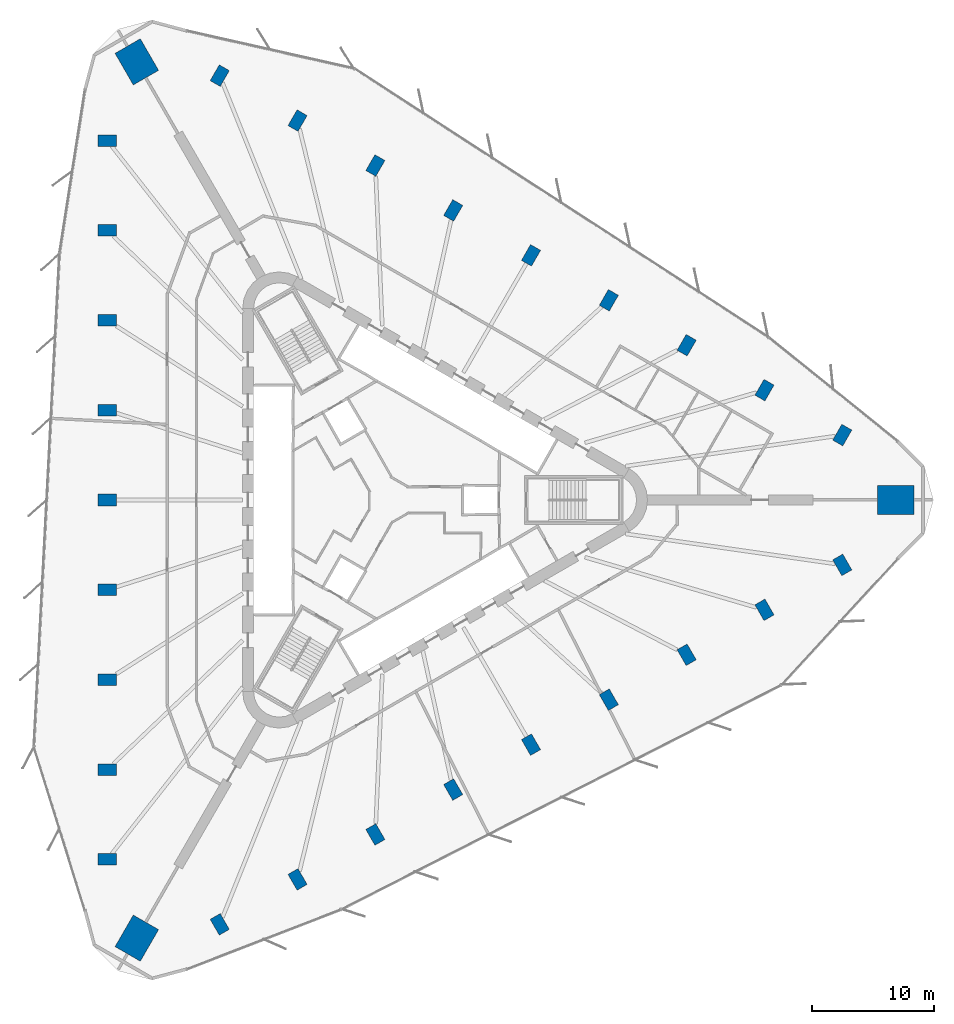
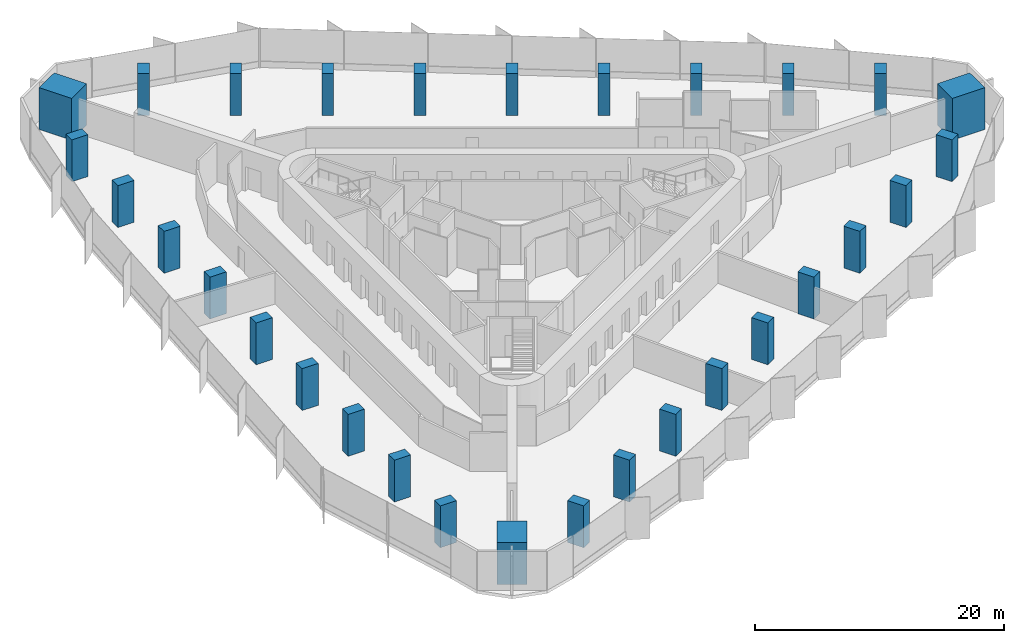
# One storey, part 1 of 14: 30 columns.
"""IFC4 building model written with IfcOpenShell, lengths in metres."""

from ifc_helpers import new_model, si_unit, direction, frame, origin, origin_2d, place, context, subcontext, project, spatial, rectangle, extrude, material, material_profile, profile_set, type_object, element, save


model = new_model("IFC4")

# Units and contexts
model_context = context("Model", 3, precision=1e-05, world=origin(), true_north=direction((0.0, 1.0)))
body_context = subcontext(model_context, "Body", "Model", "MODEL_VIEW")
ifc_project = project(units=[si_unit("LENGTHUNIT", "METRE"), si_unit("AREAUNIT", "SQUARE_METRE"), si_unit("VOLUMEUNIT", "CUBIC_METRE"), si_unit("PLANEANGLEUNIT", "RADIAN"), si_unit("MASSUNIT", "GRAM", prefix="KILO")], contexts=[model_context])

# Site, building, storey
site_placement = place(None, origin())
site = spatial("IfcSite", under=ifc_project, at=site_placement, CompositionType="ELEMENT")
building_placement = place(site_placement, origin())
building = spatial("IfcBuilding", under=site, at=building_placement, Name="Tanit Gate Tower", CompositionType="ELEMENT")
storey_placement = place(building_placement, frame((0.0, 0.0, 78.300048828125)))
storey = spatial("IfcBuildingStorey", under=building, at=storey_placement, Name="L15", CompositionType="ELEMENT", Elevation=78.300048828125)

# Columns
ifc_material_1 = material(Name="Concrete C70/85", Category="concrete")
ifc_material_profile_1 = material_profile(ifc_material_1, rectangle(XDim=3.0, YDim=2.39990234375, at=origin_2d()), Name="RC 3000x2400")
ifc_profile_set_1 = profile_set([ifc_material_profile_1], Name="Concrete C70/85")
column_type_1 = type_object("IfcColumnType", Name="MEGA COLUMN 3000x2400 C70/85", PredefinedType="COLUMN", material=ifc_profile_set_1)
for number, where, z_axis, x_axis, name in (
    (1, (41.615966796875, 0.0, 0.0), (0.0, 0.0, 1.0), (1.0, 0.0, 0.0), "MEGA COLUMN"),
    (2, (-20.80810546875, 36.04052734375, 0.0), (0.0, 0.0, 1.0), (-0.5, 0.866025403784, 0.0), "MEGA COLUMN"),
    (3, (-20.80810546875, -36.04052734375, 0.0), (0.0, 0.0, 1.0), (-0.5, -0.866025403784, 0.0), "MEGA COLUMN"),
):
    element("IfcColumn", number, at=place(storey_placement, frame(where, z_axis=z_axis, x_axis=x_axis)), inside=storey, type_object=column_type_1, Name=name, PredefinedType="COLUMN", context=body_context, shape_type="SweptSolid", body=[
        extrude(rectangle(XDim=3.0, YDim=2.39990234375, at=origin_2d()), origin(), (0.0, 0.0, 1.0), 4.099853515625),
    ])
ifc_material_2 = material(Name="Concrete C60/75", Category="concrete")
ifc_material_profile_2 = material_profile(ifc_material_2, rectangle(XDim=1.5, YDim=0.949951171875, at=origin_2d()), Name="RC 1500x950")
ifc_profile_set_2 = profile_set([ifc_material_profile_2], Name="Concrete C60/75")
column_type_2 = type_object("IfcColumnType", Name="PERIMETER COLUMN 1500x950 C60/75", PredefinedType="COLUMN", material=ifc_profile_set_2)
for number, where, z_axis, x_axis, name in (
    (4, (-23.235595703125, 29.56591796875, 0.0), (0.0, 0.0, 1.0), (-1.0, 0.0, 0.0), "PERIMETER COLUMN"),
    (5, (-23.235595703125, 22.17431640625, 0.0), (0.0, 0.0, 1.0), (-1.0, 0.0, 0.0), "PERIMETER COLUMN"),
    (6, (-23.235595703125, 14.782958984375, 0.0), (0.0, 0.0, 1.0), (-1.0, 0.0, 0.0), "PERIMETER COLUMN"),
    (7, (-23.235595703125, 7.391357421875, 0.0), (0.0, 0.0, 1.0), (-1.0, 0.0, 0.0), "PERIMETER COLUMN"),
    (8, (-23.235595703125, 0.0, 0.0), (0.0, 0.0, 1.0), (-1.0, 0.0, 0.0), "PERIMETER COLUMN"),
    (9, (-23.235595703125, -7.391357421875, 0.0), (0.0, 0.0, 1.0), (-1.0, 0.0, 0.0), "PERIMETER COLUMN"),
    (10, (-23.235595703125, -14.782958984375, 0.0), (0.0, 0.0, 1.0), (-1.0, 0.0, 0.0), "PERIMETER COLUMN"),
    (11, (-23.235595703125, -22.17431640625, 0.0), (0.0, 0.0, 1.0), (-1.0, 0.0, 0.0), "PERIMETER COLUMN"),
    (12, (-23.235595703125, -29.56591796875, 0.0), (0.0, 0.0, 1.0), (-1.0, 0.0, 0.0), "PERIMETER COLUMN"),
    (13, (37.22265625, 5.33984375, 0.0), (0.0, 0.0, 1.0), (0.5, 0.866025403784, 0.0), "PERIMETER COLUMN"),
    (14, (30.8212890625, 9.035400390625, 0.0), (0.0, 0.0, 1.0), (0.5, 0.866025403784, 0.0), "PERIMETER COLUMN"),
    (15, (24.420166015625, 12.731201171875, 0.0), (0.0, 0.0, 1.0), (0.5, 0.866025403784, 0.0), "PERIMETER COLUMN"),
    (16, (18.01904296875, 16.427001953125, 0.0), (0.0, 0.0, 1.0), (0.5, 0.866025403784, 0.0), "PERIMETER COLUMN"),
    (17, (11.617919921875, 20.122802734375, 0.0), (0.0, 0.0, 1.0), (0.5, 0.866025403784, 0.0), "PERIMETER COLUMN"),
    (18, (5.216796875, 23.818359375, 0.0), (0.0, 0.0, 1.0), (0.5, 0.866025403784, 0.0), "PERIMETER COLUMN"),
    (19, (-1.1845703125, 27.51416015625, 0.0), (0.0, 0.0, 1.0), (0.5, 0.866025403784, 0.0), "PERIMETER COLUMN"),
    (20, (-7.585693359375, 31.2099609375, 0.0), (0.0, 0.0, 1.0), (0.5, 0.866025403784, 0.0), "PERIMETER COLUMN"),
    (21, (-13.98681640625, 34.905517578125, 0.0), (0.0, 0.0, 1.0), (0.5, 0.866025403784, 0.0), "PERIMETER COLUMN"),
    (22, (-13.98681640625, -34.905517578125, 0.0), (0.0, 0.0, 1.0), (0.5, -0.866025403784, 0.0), "PERIMETER COLUMN"),
    (23, (-7.585693359375, -31.2099609375, 0.0), (0.0, 0.0, 1.0), (0.5, -0.866025403784, 0.0), "PERIMETER COLUMN"),
    (24, (-1.1845703125, -27.51416015625, 0.0), (0.0, 0.0, 1.0), (0.5, -0.866025403784, 0.0), "PERIMETER COLUMN"),
    (25, (5.216796875, -23.818359375, 0.0), (0.0, 0.0, 1.0), (0.5, -0.866025403784, 0.0), "PERIMETER COLUMN"),
    (26, (11.617919921875, -20.122802734375, 0.0), (0.0, 0.0, 1.0), (0.5, -0.866025403784, 0.0), "PERIMETER COLUMN"),
    (27, (18.01904296875, -16.427001953125, 0.0), (0.0, 0.0, 1.0), (0.5, -0.866025403784, 0.0), "PERIMETER COLUMN"),
    (28, (24.420166015625, -12.731201171875, 0.0), (0.0, 0.0, 1.0), (0.5, -0.866025403784, 0.0), "PERIMETER COLUMN"),
    (29, (30.8212890625, -9.035400390625, 0.0), (0.0, 0.0, 1.0), (0.5, -0.866025403784, 0.0), "PERIMETER COLUMN"),
    (30, (37.22265625, -5.33984375, 0.0), (0.0, 0.0, 1.0), (0.5, -0.866025403784, 0.0), "PERIMETER COLUMN"),
):
    element("IfcColumn", number, at=place(storey_placement, frame(where, z_axis=z_axis, x_axis=x_axis)), inside=storey, type_object=column_type_2, Name=name, PredefinedType="COLUMN", context=body_context, shape_type="SweptSolid", body=[
        extrude(rectangle(XDim=1.5, YDim=0.949951171875, at=origin_2d()), origin(), (0.0, 0.0, 1.0), 4.099853515625),
    ])

save(model, "model.ifc")
